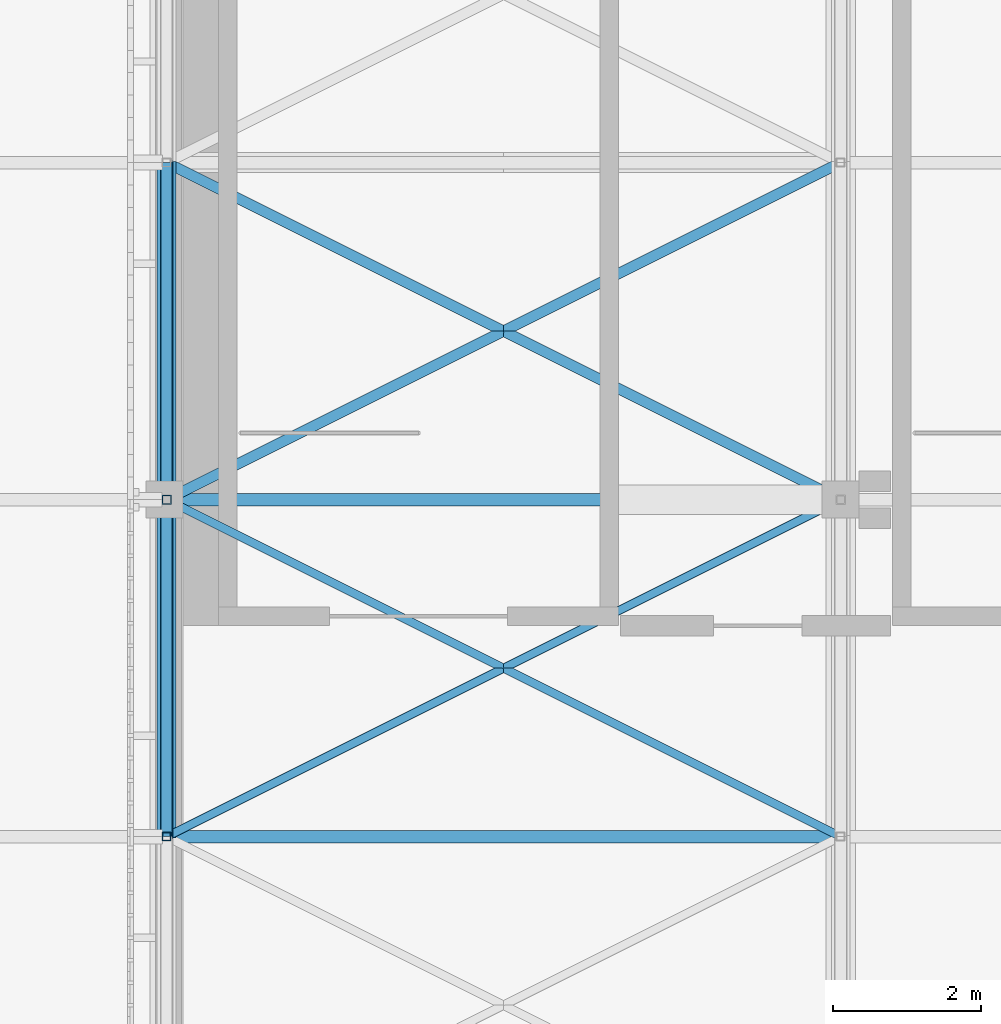
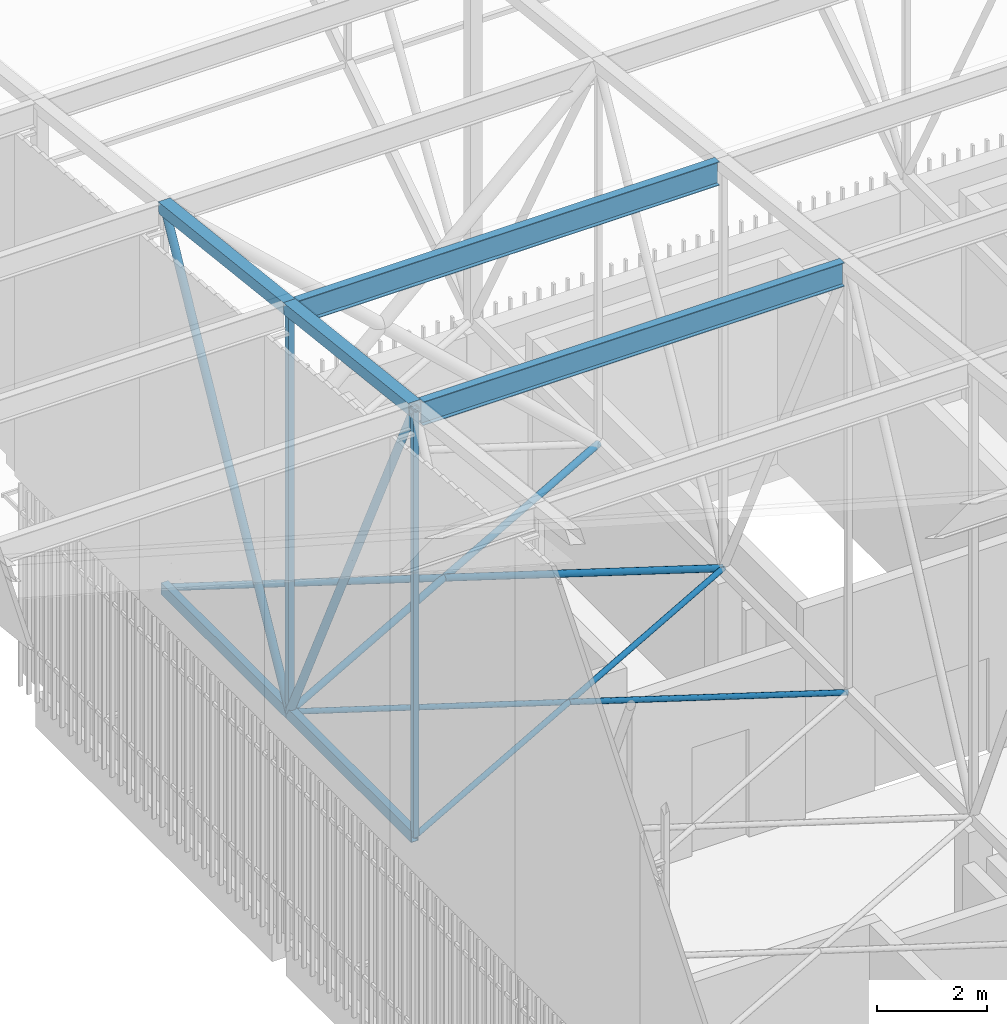
# One storey, part 220 of 500: 14 members.
"""IFC4 building model written with IfcOpenShell, lengths in metres."""

from ifc_helpers import new_model, si_unit, direction, frame, origin, origin_2d, place, context, subcontext, project, spatial, hollow_rectangle, hollow_circle, i_section, extrude, material, material_profile, profile_set, type_object, element, save


model = new_model("IFC4")

# Units and contexts
model_context = context("Model", 3, precision=1e-05, world=origin(), true_north=direction((0.0, 1.0)))
body_context = subcontext(model_context, "Body", "Model", "MODEL_VIEW")
ifc_project = project(units=[si_unit("LENGTHUNIT", "METRE"), si_unit("AREAUNIT", "SQUARE_METRE"), si_unit("VOLUMEUNIT", "CUBIC_METRE"), si_unit("PLANEANGLEUNIT", "RADIAN"), si_unit("MASSUNIT", "GRAM", prefix="KILO")], contexts=[model_context])

# Site, building, storey
site_placement = place(None, origin())
site = spatial("IfcSite", under=ifc_project, at=site_placement, CompositionType="ELEMENT")
building_placement = place(site_placement, origin())
building = spatial("IfcBuilding", under=site, at=building_placement, Name="Shirokan Park Arena", CompositionType="ELEMENT")
storey_placement = place(building_placement, frame((0.0, 0.0, 29.1201171875)))
storey = spatial("IfcBuildingStorey", under=building, at=storey_placement, Name="L06", CompositionType="ELEMENT", Elevation=29.1201171875)

# Members
ifc_material_1 = material(Name="Steel ASTM A500 Grade C", Category="steel")
ifc_material_profile_1 = material_profile(ifc_material_1, hollow_rectangle(XDim=0.152099609375, YDim=0.25390625, WallThickness=0.009521484375, at=origin_2d()), Name="HSS254X152.4X9.5")
ifc_profile_set_1 = profile_set([ifc_material_profile_1], Name="Steel ASTM A500 Grade C")
member_type_1 = type_object("IfcMemberType", Name="Bottom chord HSS254X152.4X9.5", PredefinedType="CHORD", material=ifc_profile_set_1)
member_1_placement = place(storey_placement, frame((0.0, 95.550048828125, 4.677001953125), z_axis=(0.0, 1.0, 0.0), x_axis=(-1.0, 0.0, 0.0)))
element("IfcMember", 1, at=member_1_placement, inside=storey, type_object=member_type_1, Name="Truss T01 bottom chord 24", PredefinedType="CHORD", context=body_context, shape_type="SweptSolid", body=[
    extrude(hollow_rectangle(XDim=0.152099609375, YDim=0.25390625, WallThickness=0.009521484375, at=origin_2d()), origin(), (0.0, 0.0, 1.0), 4.550048828125),
])
member_2_placement = place(storey_placement, frame((0.0, 100.10009765625, 4.677001953125), z_axis=(0.0, 1.0, 0.0), x_axis=(-1.0, 0.0, 0.0)))
element("IfcMember", 2, at=member_2_placement, inside=storey, type_object=member_type_1, Name="Truss T01 bottom chord 25", PredefinedType="CHORD", context=body_context, shape_type="SweptSolid", body=[
    extrude(hollow_rectangle(XDim=0.152099609375, YDim=0.25390625, WallThickness=0.009521484375, at=origin_2d()), origin(), (0.0, 0.0, 1.0), 4.5498046875),
])
ifc_material_profile_2 = material_profile(ifc_material_1, hollow_circle(Radius=0.056884765625, WallThickness=0.006103515625, at=origin_2d()), Name="HSS114.3X6")
ifc_profile_set_2 = profile_set([ifc_material_profile_2], Name="Steel ASTM A500 Grade C")
member_type_2 = type_object("IfcMemberType", Name="Plan bracing HSS114.3X6", PredefinedType="BRACE", material=ifc_profile_set_2)
for number, where, z_axis, x_axis, name in (
    (3, (0.0, 95.550048828125, 4.677001953125), (0.894427191, 0.4472135955, 0.0), (-0.4472135955, 0.894427191, 0.0), "Plan bracing bay 1 panel 24 A"),
    (4, (9.10009765625, 95.550048828125, 4.677001953125), (-0.894427191, 0.4472135955, 0.0), (-0.4472135955, -0.894427191, 0.0), "Plan bracing bay 1 panel 24 B"),
):
    element("IfcMember", number, at=place(storey_placement, frame(where, z_axis=z_axis, x_axis=x_axis)), inside=storey, type_object=member_type_2, Name=name, PredefinedType="BRACE", context=body_context, shape_type="SweptSolid", body=[
        extrude(hollow_circle(Radius=0.056884765625, WallThickness=0.006103515625, at=origin_2d()), origin(), (0.0, 0.0, 1.0), 10.17431640625),
    ])
ifc_material_profile_3 = material_profile(ifc_material_1, hollow_circle(Radius=0.070556640625, WallThickness=0.009521484375, at=origin_2d()), Name="HSS141.3X9.5")
ifc_profile_set_3 = profile_set([ifc_material_profile_3], Name="Steel ASTM A500 Grade C")
member_type_3 = type_object("IfcMemberType", Name="Plan bracing HSS141.3X9.5", PredefinedType="BRACE", material=ifc_profile_set_3)
for number, where, z_axis, x_axis, name in (
    (5, (0.0, 100.10009765625, 4.677001953125), (0.8944367893, 0.447194398385, 0.0), (-0.447194398385, 0.8944367893, 0.0), "Plan bracing bay 1 panel 25 A"),
    (6, (9.10009765625, 100.10009765625, 4.677001953125), (-0.8944367893, 0.447194398385, 0.0), (-0.447194398385, -0.8944367893, 0.0), "Plan bracing bay 1 panel 25 B"),
):
    element("IfcMember", number, at=place(storey_placement, frame(where, z_axis=z_axis, x_axis=x_axis)), inside=storey, type_object=member_type_3, Name=name, PredefinedType="BRACE", context=body_context, shape_type="SweptSolid", body=[
        extrude(hollow_circle(Radius=0.070556640625, WallThickness=0.009521484375, at=origin_2d()), origin(), (0.0, 0.0, 1.0), 10.174072265625),
    ])
ifc_material_2 = material(Name="Steel ASTM A992", Category="steel")
ifc_material_profile_4 = material_profile(ifc_material_2, i_section(OverallWidth=0.166015625, OverallDepth=0.528076171875, WebThickness=0.009765625, FlangeThickness=0.013671875, at=origin_2d()), Name="W530X74")
ifc_profile_set_4 = profile_set([ifc_material_profile_4], Name="Steel ASTM A992")
member_type_4 = type_object("IfcMemberType", Name="Purlin W530X74", PredefinedType="PURLIN", material=ifc_profile_set_4)
for number, where, z_axis, x_axis, name in (
    (7, (0.126953125, 95.550048828125, 14.0458984375), (1.0, 0.0, 0.0), (0.0, 1.0, 0.0), "Purlin 24 bay 1"),
    (8, (0.126953125, 100.10009765625, 13.52587890625), (1.0, 0.0, 0.0), (0.0, 1.0, 0.0), "Purlin 25 bay 1"),
):
    element("IfcMember", number, at=place(storey_placement, frame(where, z_axis=z_axis, x_axis=x_axis)), inside=storey, type_object=member_type_4, Name=name, PredefinedType="PURLIN", context=body_context, shape_type="SweptSolid", body=[
        extrude(i_section(OverallWidth=0.166015625, OverallDepth=0.528076171875, WebThickness=0.009765625, FlangeThickness=0.013671875, at=origin_2d()), origin(), (0.0, 0.0, 1.0), 8.845947265625),
    ])
ifc_material_profile_5 = material_profile(ifc_material_1, hollow_rectangle(XDim=0.25390625, YDim=0.25390625, WallThickness=0.009521484375, at=origin_2d()), Name="HSS254X254X9.5")
ifc_profile_set_5 = profile_set([ifc_material_profile_5], Name="Steel ASTM A500 Grade C")
member_type_5 = type_object("IfcMemberType", Name="Top chord HSS254X254X9.5", PredefinedType="CHORD", material=ifc_profile_set_5)
member_3_placement = place(storey_placement, frame((0.0, 95.550048828125, 14.182861328125), z_axis=(0.0, 0.993532328996, -0.113549598152), x_axis=(-1.0, 0.0, 0.0)))
element("IfcMember", 9, at=member_3_placement, inside=storey, type_object=member_type_5, Name="Truss T01 top chord 24", PredefinedType="CHORD", context=body_context, shape_type="SweptSolid", body=[
    extrude(hollow_rectangle(XDim=0.25390625, YDim=0.25390625, WallThickness=0.009521484375, at=origin_2d()), origin(), (0.0, 0.0, 1.0), 4.57958984375),
])
member_4_placement = place(storey_placement, frame((0.0, 100.10009765625, 13.662841796875), z_axis=(0.0, 0.993531641592, -0.11355561261), x_axis=(-1.0, 0.0, 0.0)))
element("IfcMember", 10, at=member_4_placement, inside=storey, type_object=member_type_5, Name="Truss T01 top chord 25", PredefinedType="CHORD", context=body_context, shape_type="SweptSolid", body=[
    extrude(hollow_rectangle(XDim=0.25390625, YDim=0.25390625, WallThickness=0.009521484375, at=origin_2d()), origin(), (0.0, 0.0, 1.0), 4.579345703125),
])
ifc_material_profile_6 = material_profile(ifc_material_1, hollow_circle(Radius=0.083984375, WallThickness=0.009521484375, at=origin_2d()), Name="HSS168.3X9.5")
ifc_profile_set_6 = profile_set([ifc_material_profile_6], Name="Steel ASTM A500 Grade C")
member_type_6 = type_object("IfcMemberType", Name="Truss diagonal HSS168.3X9.5", PredefinedType="BRACE", material=ifc_profile_set_6)
member_5_placement = place(storey_placement, frame((0.0, 95.550048828125, 14.182861328125), z_axis=(0.0, 0.431746476626, -0.901994999942), x_axis=(-1.0, 0.0, 0.0)))
element("IfcMember", 11, at=member_5_placement, inside=storey, type_object=member_type_6, Name="Truss T01 diagonal 24", PredefinedType="BRACE", context=body_context, shape_type="SweptSolid", body=[
    extrude(hollow_circle(Radius=0.083984375, WallThickness=0.009521484375, at=origin_2d()), origin(), (0.0, 0.0, 1.0), 10.538818359375),
])
member_6_placement = place(storey_placement, frame((0.0, 100.10009765625, 4.677001953125), z_axis=(0.0, 0.47339679801, 0.880849289966), x_axis=(-1.0, 0.0, 0.0)))
element("IfcMember", 12, at=member_6_placement, inside=storey, type_object=member_type_6, Name="Truss T01 diagonal 25", PredefinedType="BRACE", context=body_context, shape_type="SweptSolid", body=[
    extrude(hollow_circle(Radius=0.083984375, WallThickness=0.009521484375, at=origin_2d()), origin(), (0.0, 0.0, 1.0), 9.611083984375),
])
ifc_material_profile_7 = material_profile(ifc_material_1, hollow_rectangle(XDim=0.114013671875, YDim=0.114013671875, WallThickness=0.00634765625, at=origin_2d()), Name="HSS114.3X114.3X6.4")
ifc_profile_set_7 = profile_set([ifc_material_profile_7], Name="Steel ASTM A500 Grade C")
member_type_7 = type_object("IfcMemberType", Name="Truss post HSS114.3X114.3X6.4", PredefinedType="POST", material=ifc_profile_set_7)
member_7_placement = place(storey_placement, frame((0.0, 95.550048828125, 4.677001953125), z_axis=(0.0, 0.0, 1.0), x_axis=(1.0, 0.0, 0.0)))
element("IfcMember", 13, at=member_7_placement, inside=storey, type_object=member_type_7, Name="Truss T01 post 24", PredefinedType="POST", context=body_context, shape_type="SweptSolid", body=[
    extrude(hollow_rectangle(XDim=0.114013671875, YDim=0.114013671875, WallThickness=0.00634765625, at=origin_2d()), origin(), (0.0, 0.0, 1.0), 9.505859375),
])
ifc_material_profile_8 = material_profile(ifc_material_1, hollow_rectangle(XDim=0.126953125, YDim=0.126953125, WallThickness=0.0126953125, at=origin_2d()), Name="HSS127X127X12.7")
ifc_profile_set_8 = profile_set([ifc_material_profile_8], Name="Steel ASTM A500 Grade C")
member_type_8 = type_object("IfcMemberType", Name="Truss post HSS127X127X12.7", PredefinedType="POST", material=ifc_profile_set_8)
member_8_placement = place(storey_placement, frame((0.0, 100.10009765625, 4.677001953125), z_axis=(0.0, 0.0, 1.0), x_axis=(1.0, 0.0, 0.0)))
element("IfcMember", 14, at=member_8_placement, inside=storey, type_object=member_type_8, Name="Truss T01 post 25", PredefinedType="POST", context=body_context, shape_type="SweptSolid", body=[
    extrude(hollow_rectangle(XDim=0.126953125, YDim=0.126953125, WallThickness=0.0126953125, at=origin_2d()), origin(), (0.0, 0.0, 1.0), 8.98583984375),
])

save(model, "model.ifc")
